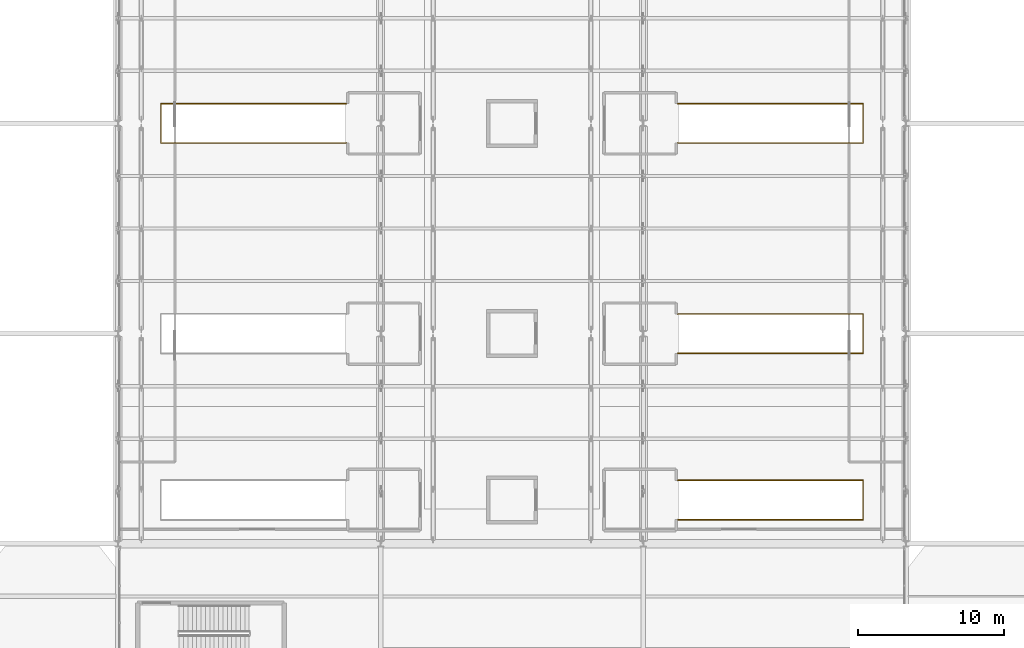
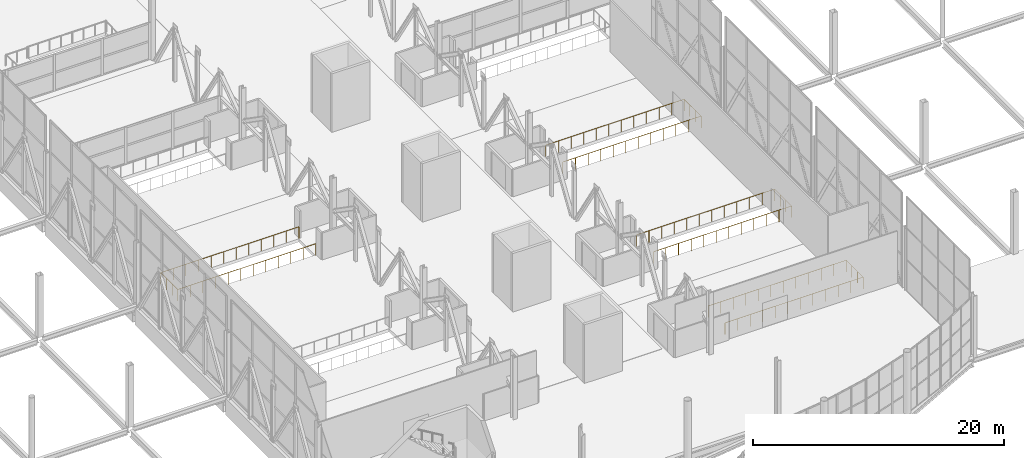
# One storey, part 178 of 191: 4 railings.
"""IFC4 building model written with IfcOpenShell, lengths in metres."""

from ifc_helpers import new_model, si_unit, direction, frame, origin, origin_2d, place, context, subcontext, project, spatial, circle, extrude, material, type_object, element, save


model = new_model("IFC4")

# Units and contexts
model_context = context("Model", 3, precision=1e-05, world=origin(), true_north=direction((0.0, 1.0)))
body_context = subcontext(model_context, "Body", "Model", "MODEL_VIEW")
ifc_project = project(units=[si_unit("LENGTHUNIT", "METRE"), si_unit("AREAUNIT", "SQUARE_METRE"), si_unit("VOLUMEUNIT", "CUBIC_METRE"), si_unit("PLANEANGLEUNIT", "RADIAN"), si_unit("MASSUNIT", "GRAM", prefix="KILO")], contexts=[model_context])

# Site, building, storey
site_placement = place(None, origin())
site = spatial("IfcSite", under=ifc_project, at=site_placement, CompositionType="ELEMENT")
building_placement = place(site_placement, origin())
building = spatial("IfcBuilding", under=site, at=building_placement, Name="Tamarisk Ironworks Central Station", CompositionType="ELEMENT")
storey_placement = place(building_placement, frame((0.0, 0.0, 6.60009765625)))
storey = spatial("IfcBuildingStorey", under=building, at=storey_placement, Name="L01", CompositionType="ELEMENT", Elevation=6.60009765625)

# Railings
ifc_material = material(Name="Laminated solar-control low-E glass", Category="glass")
railing_type = type_object("IfcRailingType", Name="RL-GUARD-GLASS", PredefinedType="BALUSTRADE", material=ifc_material)
railing_1_placement = place(storey_placement, frame((92.35009765625, 23.25, 0.0)))
element("IfcRailing", 1, at=railing_1_placement, inside=storey, type_object=railing_type, Name="L01 platform stair well guard ST-P1B", PredefinedType="BALUSTRADE", context=body_context, shape_type="SweptSolid", body=[
    extrude(circle(Radius=0.02392578125, at=origin_2d()), frame((0.0, 0.0, 1.1259765625), z_axis=(1.0, 0.0, 0.0), x_axis=(0.0, 1.0, 0.0)), (0.0, 0.0, 1.0), 12.699951171875),
    extrude(circle(Radius=0.02392578125, at=origin_2d()), frame((12.699951171875, 0.0, 1.1259765625), z_axis=(0.0, 1.0, 0.0), x_axis=(-1.0, 0.0, 0.0)), (0.0, 0.0, 1.0), 2.699951171875),
    extrude(circle(Radius=0.02392578125, at=origin_2d()), frame((12.699951171875, 2.699951171875, 1.1259765625), z_axis=(-1.0, 0.0, 0.0), x_axis=(0.0, -1.0, 0.0)), (0.0, 0.0, 1.0), 12.699951171875),
    extrude(circle(Radius=0.02099609375, at=origin_2d()), origin(), (0.0, 0.0, 1.0), 1.101806640625),
    extrude(circle(Radius=0.02099609375, at=origin_2d()), frame((1.154541015625, 0.0, 0.0)), (0.0, 0.0, 1.0), 1.101806640625),
    extrude(circle(Radius=0.02099609375, at=origin_2d()), frame((2.30908203125, 0.0, 0.0)), (0.0, 0.0, 1.0), 1.101806640625),
    extrude(circle(Radius=0.02099609375, at=origin_2d()), frame((3.463623046875, 0.0, 0.0)), (0.0, 0.0, 1.0), 1.101806640625),
    extrude(circle(Radius=0.02099609375, at=origin_2d()), frame((4.6181640625, 0.0, 0.0)), (0.0, 0.0, 1.0), 1.101806640625),
    extrude(circle(Radius=0.02099609375, at=origin_2d()), frame((5.772705078125, 0.0, 0.0)), (0.0, 0.0, 1.0), 1.101806640625),
    extrude(circle(Radius=0.02099609375, at=origin_2d()), frame((6.92724609375, 0.0, 0.0)), (0.0, 0.0, 1.0), 1.101806640625),
    extrude(circle(Radius=0.02099609375, at=origin_2d()), frame((8.081787109375, 0.0, 0.0)), (0.0, 0.0, 1.0), 1.101806640625),
    extrude(circle(Radius=0.02099609375, at=origin_2d()), frame((9.236328125, 0.0, 0.0)), (0.0, 0.0, 1.0), 1.101806640625),
    extrude(circle(Radius=0.02099609375, at=origin_2d()), frame((10.390869140625, 0.0, 0.0)), (0.0, 0.0, 1.0), 1.101806640625),
    extrude(circle(Radius=0.02099609375, at=origin_2d()), frame((11.54541015625, 0.0, 0.0)), (0.0, 0.0, 1.0), 1.101806640625),
    extrude(circle(Radius=0.02099609375, at=origin_2d()), frame((12.699951171875, 0.0, 0.0)), (0.0, 0.0, 1.0), 1.101806640625),
    extrude(circle(Radius=0.02099609375, at=origin_2d()), frame((12.699951171875, 0.89990234375, 0.0)), (0.0, 0.0, 1.0), 1.101806640625),
    extrude(circle(Radius=0.02099609375, at=origin_2d()), frame((12.699951171875, 1.800048828125, 0.0)), (0.0, 0.0, 1.0), 1.101806640625),
    extrude(circle(Radius=0.02099609375, at=origin_2d()), frame((12.699951171875, 2.699951171875, 0.0)), (0.0, 0.0, 1.0), 1.101806640625),
    extrude(circle(Radius=0.02099609375, at=origin_2d()), frame((11.54541015625, 2.699951171875, 0.0)), (0.0, 0.0, 1.0), 1.101806640625),
    extrude(circle(Radius=0.02099609375, at=origin_2d()), frame((10.390869140625, 2.699951171875, 0.0)), (0.0, 0.0, 1.0), 1.101806640625),
    extrude(circle(Radius=0.02099609375, at=origin_2d()), frame((9.236328125, 2.699951171875, 0.0)), (0.0, 0.0, 1.0), 1.101806640625),
    extrude(circle(Radius=0.02099609375, at=origin_2d()), frame((8.081787109375, 2.699951171875, 0.0)), (0.0, 0.0, 1.0), 1.101806640625),
    extrude(circle(Radius=0.02099609375, at=origin_2d()), frame((6.92724609375, 2.699951171875, 0.0)), (0.0, 0.0, 1.0), 1.101806640625),
    extrude(circle(Radius=0.02099609375, at=origin_2d()), frame((5.772705078125, 2.699951171875, 0.0)), (0.0, 0.0, 1.0), 1.101806640625),
    extrude(circle(Radius=0.02099609375, at=origin_2d()), frame((4.6181640625, 2.699951171875, 0.0)), (0.0, 0.0, 1.0), 1.101806640625),
    extrude(circle(Radius=0.02099609375, at=origin_2d()), frame((3.463623046875, 2.699951171875, 0.0)), (0.0, 0.0, 1.0), 1.101806640625),
    extrude(circle(Radius=0.02099609375, at=origin_2d()), frame((2.30908203125, 2.699951171875, 0.0)), (0.0, 0.0, 1.0), 1.101806640625),
    extrude(circle(Radius=0.02099609375, at=origin_2d()), frame((1.154541015625, 2.699951171875, 0.0)), (0.0, 0.0, 1.0), 1.101806640625),
    extrude(circle(Radius=0.02099609375, at=origin_2d()), frame((0.0, 2.699951171875, 0.0)), (0.0, 0.0, 1.0), 1.101806640625),
])
railing_2_placement = place(storey_placement, frame((92.35009765625, 34.64990234375, 0.0)))
element("IfcRailing", 2, at=railing_2_placement, inside=storey, type_object=railing_type, Name="L01 platform stair well guard ST-P2B", PredefinedType="BALUSTRADE", context=body_context, shape_type="SweptSolid", body=[
    extrude(circle(Radius=0.02392578125, at=origin_2d()), frame((0.0, 0.0, 1.1259765625), z_axis=(1.0, 0.0, 0.0), x_axis=(0.0, 1.0, 0.0)), (0.0, 0.0, 1.0), 12.699951171875),
    extrude(circle(Radius=0.02392578125, at=origin_2d()), frame((12.699951171875, 0.0, 1.1259765625), z_axis=(0.0, 1.0, 0.0), x_axis=(-1.0, 0.0, 0.0)), (0.0, 0.0, 1.0), 2.7001953125),
    extrude(circle(Radius=0.02392578125, at=origin_2d()), frame((12.699951171875, 2.7001953125, 1.1259765625), z_axis=(-1.0, 0.0, 0.0), x_axis=(0.0, -1.0, 0.0)), (0.0, 0.0, 1.0), 12.699951171875),
    extrude(circle(Radius=0.02099609375, at=origin_2d()), origin(), (0.0, 0.0, 1.0), 1.101806640625),
    extrude(circle(Radius=0.02099609375, at=origin_2d()), frame((1.154541015625, 0.0, 0.0)), (0.0, 0.0, 1.0), 1.101806640625),
    extrude(circle(Radius=0.02099609375, at=origin_2d()), frame((2.30908203125, 0.0, 0.0)), (0.0, 0.0, 1.0), 1.101806640625),
    extrude(circle(Radius=0.02099609375, at=origin_2d()), frame((3.463623046875, 0.0, 0.0)), (0.0, 0.0, 1.0), 1.101806640625),
    extrude(circle(Radius=0.02099609375, at=origin_2d()), frame((4.6181640625, 0.0, 0.0)), (0.0, 0.0, 1.0), 1.101806640625),
    extrude(circle(Radius=0.02099609375, at=origin_2d()), frame((5.772705078125, 0.0, 0.0)), (0.0, 0.0, 1.0), 1.101806640625),
    extrude(circle(Radius=0.02099609375, at=origin_2d()), frame((6.92724609375, 0.0, 0.0)), (0.0, 0.0, 1.0), 1.101806640625),
    extrude(circle(Radius=0.02099609375, at=origin_2d()), frame((8.081787109375, 0.0, 0.0)), (0.0, 0.0, 1.0), 1.101806640625),
    extrude(circle(Radius=0.02099609375, at=origin_2d()), frame((9.236328125, 0.0, 0.0)), (0.0, 0.0, 1.0), 1.101806640625),
    extrude(circle(Radius=0.02099609375, at=origin_2d()), frame((10.390869140625, 0.0, 0.0)), (0.0, 0.0, 1.0), 1.101806640625),
    extrude(circle(Radius=0.02099609375, at=origin_2d()), frame((11.54541015625, 0.0, 0.0)), (0.0, 0.0, 1.0), 1.101806640625),
    extrude(circle(Radius=0.02099609375, at=origin_2d()), frame((12.699951171875, 0.0, 0.0)), (0.0, 0.0, 1.0), 1.101806640625),
    extrude(circle(Radius=0.02099609375, at=origin_2d()), frame((12.699951171875, 0.900146484375, 0.0)), (0.0, 0.0, 1.0), 1.101806640625),
    extrude(circle(Radius=0.02099609375, at=origin_2d()), frame((12.699951171875, 1.800048828125, 0.0)), (0.0, 0.0, 1.0), 1.101806640625),
    extrude(circle(Radius=0.02099609375, at=origin_2d()), frame((12.699951171875, 2.7001953125, 0.0)), (0.0, 0.0, 1.0), 1.101806640625),
    extrude(circle(Radius=0.02099609375, at=origin_2d()), frame((11.54541015625, 2.7001953125, 0.0)), (0.0, 0.0, 1.0), 1.101806640625),
    extrude(circle(Radius=0.02099609375, at=origin_2d()), frame((10.390869140625, 2.7001953125, 0.0)), (0.0, 0.0, 1.0), 1.101806640625),
    extrude(circle(Radius=0.02099609375, at=origin_2d()), frame((9.236328125, 2.7001953125, 0.0)), (0.0, 0.0, 1.0), 1.101806640625),
    extrude(circle(Radius=0.02099609375, at=origin_2d()), frame((8.081787109375, 2.7001953125, 0.0)), (0.0, 0.0, 1.0), 1.101806640625),
    extrude(circle(Radius=0.02099609375, at=origin_2d()), frame((6.92724609375, 2.7001953125, 0.0)), (0.0, 0.0, 1.0), 1.101806640625),
    extrude(circle(Radius=0.02099609375, at=origin_2d()), frame((5.772705078125, 2.7001953125, 0.0)), (0.0, 0.0, 1.0), 1.101806640625),
    extrude(circle(Radius=0.02099609375, at=origin_2d()), frame((4.6181640625, 2.7001953125, 0.0)), (0.0, 0.0, 1.0), 1.101806640625),
    extrude(circle(Radius=0.02099609375, at=origin_2d()), frame((3.463623046875, 2.7001953125, 0.0)), (0.0, 0.0, 1.0), 1.101806640625),
    extrude(circle(Radius=0.02099609375, at=origin_2d()), frame((2.30908203125, 2.7001953125, 0.0)), (0.0, 0.0, 1.0), 1.101806640625),
    extrude(circle(Radius=0.02099609375, at=origin_2d()), frame((1.154541015625, 2.7001953125, 0.0)), (0.0, 0.0, 1.0), 1.101806640625),
    extrude(circle(Radius=0.02099609375, at=origin_2d()), frame((0.0, 2.7001953125, 0.0)), (0.0, 0.0, 1.0), 1.101806640625),
])
railing_3_placement = place(storey_placement, frame((69.64990234375, 49.050048828125, 0.0)))
element("IfcRailing", 3, at=railing_3_placement, inside=storey, type_object=railing_type, Name="L01 platform stair well guard ST-P3A", PredefinedType="BALUSTRADE", context=body_context, shape_type="SweptSolid", body=[
    extrude(circle(Radius=0.02392578125, at=origin_2d()), frame((0.0, 0.0, 1.1259765625), z_axis=(-1.0, 0.0, 0.0), x_axis=(0.0, -1.0, 0.0)), (0.0, 0.0, 1.0), 12.699951171875),
    extrude(circle(Radius=0.02392578125, at=origin_2d()), frame((-12.699951171875, 0.0, 1.1259765625), z_axis=(0.0, 1.0, 0.0), x_axis=(-1.0, 0.0, 0.0)), (0.0, 0.0, 1.0), 2.699951171875),
    extrude(circle(Radius=0.02392578125, at=origin_2d()), frame((-12.699951171875, 2.699951171875, 1.1259765625), z_axis=(1.0, 0.0, 0.0), x_axis=(0.0, 1.0, 0.0)), (0.0, 0.0, 1.0), 12.699951171875),
    extrude(circle(Radius=0.02099609375, at=origin_2d()), origin(), (0.0, 0.0, 1.0), 1.101806640625),
    extrude(circle(Radius=0.02099609375, at=origin_2d()), frame((-1.154541015625, 0.0, 0.0)), (0.0, 0.0, 1.0), 1.101806640625),
    extrude(circle(Radius=0.02099609375, at=origin_2d()), frame((-2.30908203125, 0.0, 0.0)), (0.0, 0.0, 1.0), 1.101806640625),
    extrude(circle(Radius=0.02099609375, at=origin_2d()), frame((-3.463623046875, 0.0, 0.0)), (0.0, 0.0, 1.0), 1.101806640625),
    extrude(circle(Radius=0.02099609375, at=origin_2d()), frame((-4.6181640625, 0.0, 0.0)), (0.0, 0.0, 1.0), 1.101806640625),
    extrude(circle(Radius=0.02099609375, at=origin_2d()), frame((-5.772705078125, 0.0, 0.0)), (0.0, 0.0, 1.0), 1.101806640625),
    extrude(circle(Radius=0.02099609375, at=origin_2d()), frame((-6.92724609375, 0.0, 0.0)), (0.0, 0.0, 1.0), 1.101806640625),
    extrude(circle(Radius=0.02099609375, at=origin_2d()), frame((-8.081787109375, 0.0, 0.0)), (0.0, 0.0, 1.0), 1.101806640625),
    extrude(circle(Radius=0.02099609375, at=origin_2d()), frame((-9.236328125, 0.0, 0.0)), (0.0, 0.0, 1.0), 1.101806640625),
    extrude(circle(Radius=0.02099609375, at=origin_2d()), frame((-10.390869140625, 0.0, 0.0)), (0.0, 0.0, 1.0), 1.101806640625),
    extrude(circle(Radius=0.02099609375, at=origin_2d()), frame((-11.54541015625, 0.0, 0.0)), (0.0, 0.0, 1.0), 1.101806640625),
    extrude(circle(Radius=0.02099609375, at=origin_2d()), frame((-12.699951171875, 0.0, 0.0)), (0.0, 0.0, 1.0), 1.101806640625),
    extrude(circle(Radius=0.02099609375, at=origin_2d()), frame((-12.699951171875, 0.89990234375, 0.0)), (0.0, 0.0, 1.0), 1.101806640625),
    extrude(circle(Radius=0.02099609375, at=origin_2d()), frame((-12.699951171875, 1.800048828125, 0.0)), (0.0, 0.0, 1.0), 1.101806640625),
    extrude(circle(Radius=0.02099609375, at=origin_2d()), frame((-12.699951171875, 2.699951171875, 0.0)), (0.0, 0.0, 1.0), 1.101806640625),
    extrude(circle(Radius=0.02099609375, at=origin_2d()), frame((-11.54541015625, 2.699951171875, 0.0)), (0.0, 0.0, 1.0), 1.101806640625),
    extrude(circle(Radius=0.02099609375, at=origin_2d()), frame((-10.390869140625, 2.699951171875, 0.0)), (0.0, 0.0, 1.0), 1.101806640625),
    extrude(circle(Radius=0.02099609375, at=origin_2d()), frame((-9.236328125, 2.699951171875, 0.0)), (0.0, 0.0, 1.0), 1.101806640625),
    extrude(circle(Radius=0.02099609375, at=origin_2d()), frame((-8.081787109375, 2.699951171875, 0.0)), (0.0, 0.0, 1.0), 1.101806640625),
    extrude(circle(Radius=0.02099609375, at=origin_2d()), frame((-6.92724609375, 2.699951171875, 0.0)), (0.0, 0.0, 1.0), 1.101806640625),
    extrude(circle(Radius=0.02099609375, at=origin_2d()), frame((-5.772705078125, 2.699951171875, 0.0)), (0.0, 0.0, 1.0), 1.101806640625),
    extrude(circle(Radius=0.02099609375, at=origin_2d()), frame((-4.6181640625, 2.699951171875, 0.0)), (0.0, 0.0, 1.0), 1.101806640625),
    extrude(circle(Radius=0.02099609375, at=origin_2d()), frame((-3.463623046875, 2.699951171875, 0.0)), (0.0, 0.0, 1.0), 1.101806640625),
    extrude(circle(Radius=0.02099609375, at=origin_2d()), frame((-2.30908203125, 2.699951171875, 0.0)), (0.0, 0.0, 1.0), 1.101806640625),
    extrude(circle(Radius=0.02099609375, at=origin_2d()), frame((-1.154541015625, 2.699951171875, 0.0)), (0.0, 0.0, 1.0), 1.101806640625),
    extrude(circle(Radius=0.02099609375, at=origin_2d()), frame((0.0, 2.699951171875, 0.0)), (0.0, 0.0, 1.0), 1.101806640625),
])
railing_4_placement = place(storey_placement, frame((92.35009765625, 49.050048828125, 0.0)))
element("IfcRailing", 4, at=railing_4_placement, inside=storey, type_object=railing_type, Name="L01 platform stair well guard ST-P3B", PredefinedType="BALUSTRADE", context=body_context, shape_type="SweptSolid", body=[
    extrude(circle(Radius=0.02392578125, at=origin_2d()), frame((0.0, 0.0, 1.1259765625), z_axis=(1.0, 0.0, 0.0), x_axis=(0.0, 1.0, 0.0)), (0.0, 0.0, 1.0), 12.699951171875),
    extrude(circle(Radius=0.02392578125, at=origin_2d()), frame((12.699951171875, 0.0, 1.1259765625), z_axis=(0.0, 1.0, 0.0), x_axis=(-1.0, 0.0, 0.0)), (0.0, 0.0, 1.0), 2.699951171875),
    extrude(circle(Radius=0.02392578125, at=origin_2d()), frame((12.699951171875, 2.699951171875, 1.1259765625), z_axis=(-1.0, 0.0, 0.0), x_axis=(0.0, -1.0, 0.0)), (0.0, 0.0, 1.0), 12.699951171875),
    extrude(circle(Radius=0.02099609375, at=origin_2d()), origin(), (0.0, 0.0, 1.0), 1.101806640625),
    extrude(circle(Radius=0.02099609375, at=origin_2d()), frame((1.154541015625, 0.0, 0.0)), (0.0, 0.0, 1.0), 1.101806640625),
    extrude(circle(Radius=0.02099609375, at=origin_2d()), frame((2.30908203125, 0.0, 0.0)), (0.0, 0.0, 1.0), 1.101806640625),
    extrude(circle(Radius=0.02099609375, at=origin_2d()), frame((3.463623046875, 0.0, 0.0)), (0.0, 0.0, 1.0), 1.101806640625),
    extrude(circle(Radius=0.02099609375, at=origin_2d()), frame((4.6181640625, 0.0, 0.0)), (0.0, 0.0, 1.0), 1.101806640625),
    extrude(circle(Radius=0.02099609375, at=origin_2d()), frame((5.772705078125, 0.0, 0.0)), (0.0, 0.0, 1.0), 1.101806640625),
    extrude(circle(Radius=0.02099609375, at=origin_2d()), frame((6.92724609375, 0.0, 0.0)), (0.0, 0.0, 1.0), 1.101806640625),
    extrude(circle(Radius=0.02099609375, at=origin_2d()), frame((8.081787109375, 0.0, 0.0)), (0.0, 0.0, 1.0), 1.101806640625),
    extrude(circle(Radius=0.02099609375, at=origin_2d()), frame((9.236328125, 0.0, 0.0)), (0.0, 0.0, 1.0), 1.101806640625),
    extrude(circle(Radius=0.02099609375, at=origin_2d()), frame((10.390869140625, 0.0, 0.0)), (0.0, 0.0, 1.0), 1.101806640625),
    extrude(circle(Radius=0.02099609375, at=origin_2d()), frame((11.54541015625, 0.0, 0.0)), (0.0, 0.0, 1.0), 1.101806640625),
    extrude(circle(Radius=0.02099609375, at=origin_2d()), frame((12.699951171875, 0.0, 0.0)), (0.0, 0.0, 1.0), 1.101806640625),
    extrude(circle(Radius=0.02099609375, at=origin_2d()), frame((12.699951171875, 0.89990234375, 0.0)), (0.0, 0.0, 1.0), 1.101806640625),
    extrude(circle(Radius=0.02099609375, at=origin_2d()), frame((12.699951171875, 1.800048828125, 0.0)), (0.0, 0.0, 1.0), 1.101806640625),
    extrude(circle(Radius=0.02099609375, at=origin_2d()), frame((12.699951171875, 2.699951171875, 0.0)), (0.0, 0.0, 1.0), 1.101806640625),
    extrude(circle(Radius=0.02099609375, at=origin_2d()), frame((11.54541015625, 2.699951171875, 0.0)), (0.0, 0.0, 1.0), 1.101806640625),
    extrude(circle(Radius=0.02099609375, at=origin_2d()), frame((10.390869140625, 2.699951171875, 0.0)), (0.0, 0.0, 1.0), 1.101806640625),
    extrude(circle(Radius=0.02099609375, at=origin_2d()), frame((9.236328125, 2.699951171875, 0.0)), (0.0, 0.0, 1.0), 1.101806640625),
    extrude(circle(Radius=0.02099609375, at=origin_2d()), frame((8.081787109375, 2.699951171875, 0.0)), (0.0, 0.0, 1.0), 1.101806640625),
    extrude(circle(Radius=0.02099609375, at=origin_2d()), frame((6.92724609375, 2.699951171875, 0.0)), (0.0, 0.0, 1.0), 1.101806640625),
    extrude(circle(Radius=0.02099609375, at=origin_2d()), frame((5.772705078125, 2.699951171875, 0.0)), (0.0, 0.0, 1.0), 1.101806640625),
    extrude(circle(Radius=0.02099609375, at=origin_2d()), frame((4.6181640625, 2.699951171875, 0.0)), (0.0, 0.0, 1.0), 1.101806640625),
    extrude(circle(Radius=0.02099609375, at=origin_2d()), frame((3.463623046875, 2.699951171875, 0.0)), (0.0, 0.0, 1.0), 1.101806640625),
    extrude(circle(Radius=0.02099609375, at=origin_2d()), frame((2.30908203125, 2.699951171875, 0.0)), (0.0, 0.0, 1.0), 1.101806640625),
    extrude(circle(Radius=0.02099609375, at=origin_2d()), frame((1.154541015625, 2.699951171875, 0.0)), (0.0, 0.0, 1.0), 1.101806640625),
    extrude(circle(Radius=0.02099609375, at=origin_2d()), frame((0.0, 2.699951171875, 0.0)), (0.0, 0.0, 1.0), 1.101806640625),
])

save(model, "model.ifc")
